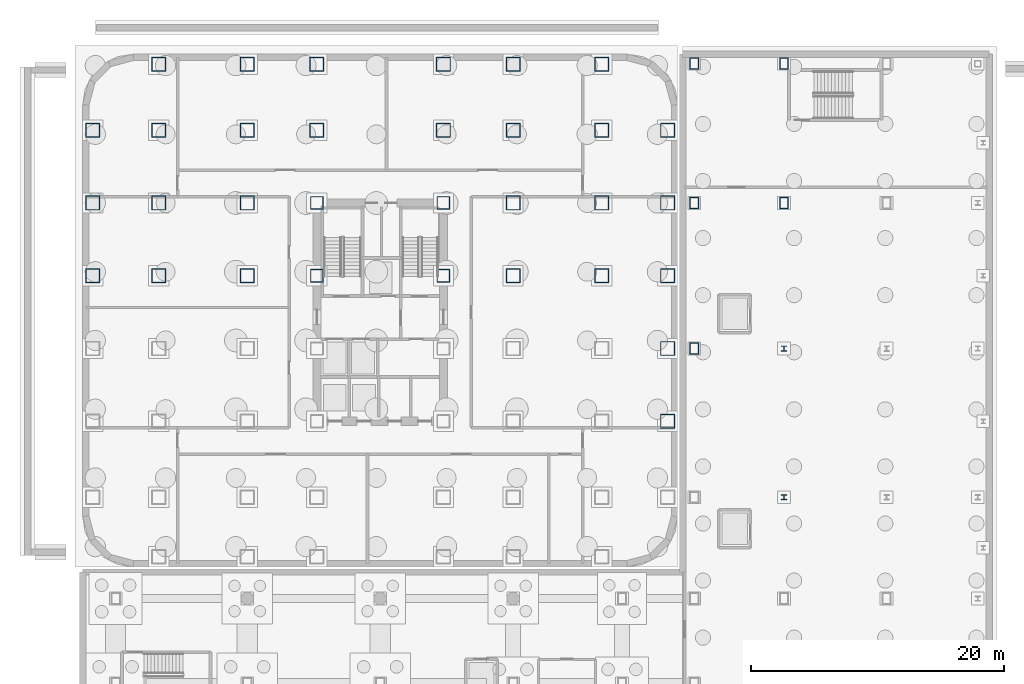
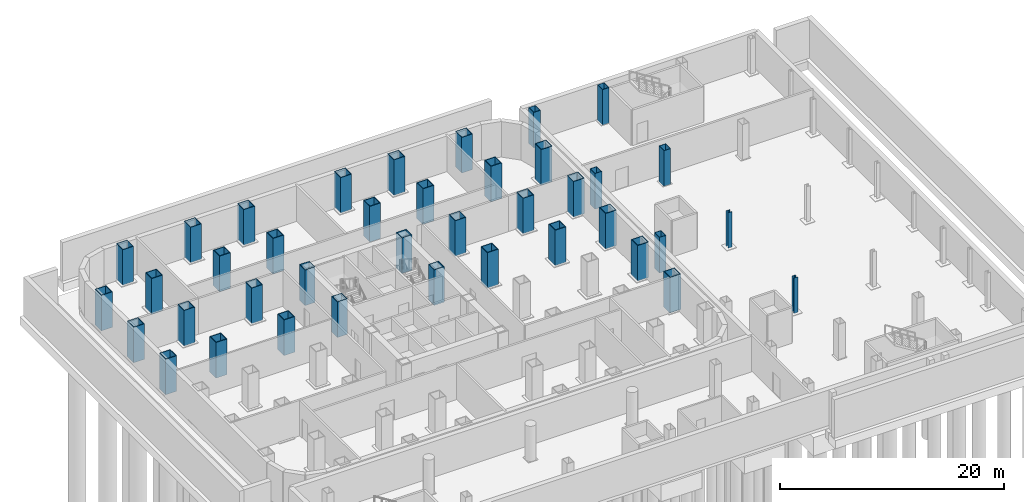
# One storey, part 3 of 16: 39 columns.
"""IFC4 building model written with IfcOpenShell, lengths in metres."""

from ifc_helpers import new_model, si_unit, direction, frame, origin, origin_2d, place, context, subcontext, project, spatial, hollow_rectangle, i_section, extrude, source, transform, mapped, material, material_profile, profile_set, type_object, element, save


model = new_model("IFC4")

# Units and contexts
model_context = context("Model", 3, precision=1e-05, world=origin(), true_north=direction((0.0, 1.0)))
body_context = subcontext(model_context, "Body", "Model", "MODEL_VIEW")
ifc_project = project(units=[si_unit("LENGTHUNIT", "METRE"), si_unit("AREAUNIT", "SQUARE_METRE"), si_unit("VOLUMEUNIT", "CUBIC_METRE"), si_unit("PLANEANGLEUNIT", "RADIAN"), si_unit("MASSUNIT", "GRAM", prefix="KILO")], contexts=[model_context])

# Site, building, storey
site_placement = place(None, origin())
site = spatial("IfcSite", under=ifc_project, at=site_placement, CompositionType="ELEMENT")
building_placement = place(site_placement, origin())
building = spatial("IfcBuilding", under=site, at=building_placement, Name="Kolveth Station Tower", CompositionType="ELEMENT")
storey_placement = place(building_placement, frame((0.0, 0.0, -8.39990234375)))
storey = spatial("IfcBuildingStorey", under=building, at=storey_placement, Name="B2", CompositionType="ELEMENT", Elevation=-8.39990234375)

# Columns
ifc_material_1 = material(Name="Steel S460", Category="steel")
ifc_material_profile_1 = material_profile(ifc_material_1, hollow_rectangle(XDim=1.139892578125, YDim=1.139892578125, WallThickness=0.070068359375, at=origin_2d()), Name="BOX1140x1140x70")
ifc_profile_set_1 = profile_set([ifc_material_profile_1], Name="Steel S460")
column_type_1 = type_object("IfcColumnType", Name="Col_C1", PredefinedType="COLUMN", material=ifc_profile_set_1)
shared_shape_1 = source(origin(), body_context, "Body", "SweptSolid", [
    extrude(hollow_rectangle(XDim=1.139892578125, YDim=1.139892578125, WallThickness=0.070068359375, at=origin_2d()), origin(), (0.0, 0.0, 1.0), 3.8798828125),
])
for number, where, z_axis, x_axis, name in (
    (1, (6.0, 39.699951171875, 0.0), (0.0, 0.0, 1.0), (1.0, 0.0, 0.0), "B2 Tower Column N-X60"),
    (2, (13.0, 39.699951171875, 0.0), (0.0, 0.0, 1.0), (1.0, 0.0, 0.0), "B2 Tower Column N-X130"),
    (3, (18.5, 39.699951171875, 0.0), (0.0, 0.0, 1.0), (1.0, 0.0, 0.0), "B2 Tower Column N-X185"),
    (4, (28.5, 39.699951171875, 0.0), (0.0, 0.0, 1.0), (1.0, 0.0, 0.0), "B2 Tower Column N-X285"),
    (5, (34.0, 39.699951171875, 0.0), (0.0, 0.0, 1.0), (1.0, 0.0, 0.0), "B2 Tower Column N-X340"),
    (6, (41.0, 39.699951171875, 0.0), (0.0, 0.0, 1.0), (1.0, 0.0, 0.0), "B2 Tower Column N-X410"),
    (7, (46.199951171875, 11.5, 0.0), (0.0, 0.0, 1.0), (1.0, 0.0, 0.0), "B2 Tower Column E-Y115"),
    (8, (46.199951171875, 17.25, 0.0), (0.0, 0.0, 1.0), (1.0, 0.0, 0.0), "B2 Tower Column E-Y172"),
    (9, (0.800048828125, 23.0, 0.0), (0.0, 0.0, 1.0), (1.0, 0.0, 0.0), "B2 Tower Column W-Y230"),
    (10, (46.199951171875, 23.0, 0.0), (0.0, 0.0, 1.0), (1.0, 0.0, 0.0), "B2 Tower Column E-Y230"),
    (11, (0.800048828125, 28.75, 0.0), (0.0, 0.0, 1.0), (1.0, 0.0, 0.0), "B2 Tower Column W-Y287"),
    (12, (46.199951171875, 28.75, 0.0), (0.0, 0.0, 1.0), (1.0, 0.0, 0.0), "B2 Tower Column E-Y287"),
    (13, (0.800048828125, 34.5, 0.0), (0.0, 0.0, 1.0), (1.0, 0.0, 0.0), "B2 Tower Column W-Y345"),
    (14, (46.199951171875, 34.5, 0.0), (0.0, 0.0, 1.0), (1.0, 0.0, 0.0), "B2 Tower Column E-Y345"),
    (15, (6.0, 23.0, 0.0), (0.0, 0.0, 1.0), (1.0, 0.0, 0.0), "B2 Tower Column G-60-230"),
    (16, (6.0, 28.75, 0.0), (0.0, 0.0, 1.0), (1.0, 0.0, 0.0), "B2 Tower Column G-60-287"),
    (17, (6.0, 34.5, 0.0), (0.0, 0.0, 1.0), (1.0, 0.0, 0.0), "B2 Tower Column G-60-345"),
    (18, (13.0, 23.0, 0.0), (0.0, 0.0, 1.0), (1.0, 0.0, 0.0), "B2 Tower Column G-130-230"),
    (19, (13.0, 28.75, 0.0), (0.0, 0.0, 1.0), (1.0, 0.0, 0.0), "B2 Tower Column G-130-287"),
    (20, (13.0, 34.5, 0.0), (0.0, 0.0, 1.0), (1.0, 0.0, 0.0), "B2 Tower Column G-130-345"),
    (21, (18.5, 34.5, 0.0), (0.0, 0.0, 1.0), (1.0, 0.0, 0.0), "B2 Tower Column G-185-345"),
    (22, (28.5, 34.5, 0.0), (0.0, 0.0, 1.0), (1.0, 0.0, 0.0), "B2 Tower Column G-285-345"),
    (23, (34.0, 23.0, 0.0), (0.0, 0.0, 1.0), (1.0, 0.0, 0.0), "B2 Tower Column G-340-230"),
    (24, (34.0, 28.75, 0.0), (0.0, 0.0, 1.0), (1.0, 0.0, 0.0), "B2 Tower Column G-340-287"),
    (25, (34.0, 34.5, 0.0), (0.0, 0.0, 1.0), (1.0, 0.0, 0.0), "B2 Tower Column G-340-345"),
    (26, (41.0, 23.0, 0.0), (0.0, 0.0, 1.0), (1.0, 0.0, 0.0), "B2 Tower Column G-410-230"),
    (27, (41.0, 28.75, 0.0), (0.0, 0.0, 1.0), (1.0, 0.0, 0.0), "B2 Tower Column G-410-287"),
    (28, (41.0, 34.5, 0.0), (0.0, 0.0, 1.0), (1.0, 0.0, 0.0), "B2 Tower Column G-410-345"),
):
    element("IfcColumn", number, at=place(storey_placement, frame(where, z_axis=z_axis, x_axis=x_axis)), inside=storey, type_object=column_type_1, Name=name, PredefinedType="COLUMN", context=body_context, shape_type="MappedRepresentation", body=[
        mapped(shared_shape_1, transform((0.0, 0.0, 0.0), x_axis=(1.0, 0.0, 0.0), y_axis=(0.0, 1.0, 0.0), z_axis=(0.0, 0.0, 1.0), scale=1.0)),
    ])
ifc_material_profile_2 = material_profile(ifc_material_1, hollow_rectangle(XDim=1.0400390625, YDim=1.0400390625, WallThickness=0.06494140625, at=origin_2d()), Name="BOX1040x1040x65")
ifc_profile_set_2 = profile_set([ifc_material_profile_2], Name="Steel S460")
column_type_2 = type_object("IfcColumnType", Name="Col_C2", PredefinedType="COLUMN", material=ifc_profile_set_2)
shared_shape_2 = source(origin(), body_context, "Body", "SweptSolid", [
    extrude(hollow_rectangle(XDim=1.0400390625, YDim=1.0400390625, WallThickness=0.06494140625, at=origin_2d()), origin(), (0.0, 0.0, 1.0), 3.8798828125),
])
for number, where, z_axis, x_axis, name in (
    (29, (18.5, 23.0, 0.0), (0.0, 0.0, 1.0), (1.0, 0.0, 0.0), "B2 Tower Column G-185-230"),
    (30, (18.5, 28.75, 0.0), (0.0, 0.0, 1.0), (1.0, 0.0, 0.0), "B2 Tower Column G-185-287"),
    (31, (28.5, 23.0, 0.0), (0.0, 0.0, 1.0), (1.0, 0.0, 0.0), "B2 Tower Column G-285-230"),
    (32, (28.5, 28.75, 0.0), (0.0, 0.0, 1.0), (1.0, 0.0, 0.0), "B2 Tower Column G-285-287"),
):
    element("IfcColumn", number, at=place(storey_placement, frame(where, z_axis=z_axis, x_axis=x_axis)), inside=storey, type_object=column_type_2, Name=name, PredefinedType="COLUMN", context=body_context, shape_type="MappedRepresentation", body=[
        mapped(shared_shape_2, transform((0.0, 0.0, 0.0), x_axis=(1.0, 0.0, 0.0), y_axis=(0.0, 1.0, 0.0), z_axis=(0.0, 0.0, 1.0), scale=1.0)),
    ])
ifc_material_2 = material(Name="Steel S355", Category="steel")
ifc_material_profile_3 = material_profile(ifc_material_2, hollow_rectangle(XDim=0.699951171875, YDim=0.89990234375, WallThickness=0.0400390625, at=origin_2d()), Name="BOX900x700x40")
ifc_profile_set_3 = profile_set([ifc_material_profile_3], Name="Steel S355")
column_type_3 = type_object("IfcColumnType", Name="Col_SC1", PredefinedType="COLUMN", material=ifc_profile_set_3)
shared_shape_3 = source(origin(), body_context, "Body", "SweptSolid", [
    extrude(hollow_rectangle(XDim=0.699951171875, YDim=0.89990234375, WallThickness=0.0400390625, at=origin_2d()), origin(), (0.0, 0.0, 1.0), 3.8798828125),
])
for number, where, z_axis, x_axis, name in (
    (33, (48.300048828125, 17.25, 0.0), (0.0, 0.0, 1.0), (1.0, 0.0, 0.0), "B2 Station Column SE-1-4"),
    (34, (48.300048828125, 28.75, 0.0), (0.0, 0.0, 1.0), (1.0, 0.0, 0.0), "B2 Station Column SE-1-5"),
    (35, (48.300048828125, 39.75, 0.0), (0.0, 0.0, 1.0), (1.0, 0.0, 0.0), "B2 Station Column SE-1-6"),
    (36, (55.39990234375, 28.75, 0.0), (0.0, 0.0, 1.0), (1.0, 0.0, 0.0), "B2 Station Column SE-2-5"),
    (37, (55.39990234375, 39.75, 0.0), (0.0, 0.0, 1.0), (1.0, 0.0, 0.0), "B2 Station Column SE-2-6"),
):
    element("IfcColumn", number, at=place(storey_placement, frame(where, z_axis=z_axis, x_axis=x_axis)), inside=storey, type_object=column_type_3, Name=name, PredefinedType="COLUMN", context=body_context, shape_type="MappedRepresentation", body=[
        mapped(shared_shape_3, transform((0.0, 0.0, 0.0), x_axis=(1.0, 0.0, 0.0), y_axis=(0.0, 1.0, 0.0), z_axis=(0.0, 0.0, 1.0), scale=1.0)),
    ])
ifc_material_profile_4 = material_profile(ifc_material_2, i_section(OverallWidth=0.39892578125, OverallDepth=0.39306640625, WebThickness=0.022705078125, FlangeThickness=0.03662109375, at=origin_2d()), Name="W360x287")
ifc_profile_set_4 = profile_set([ifc_material_profile_4], Name="Steel S355")
column_type_4 = type_object("IfcColumnType", Name="Col_CW1", PredefinedType="COLUMN", material=ifc_profile_set_4)
shared_shape_4 = source(origin(), body_context, "Body", "SweptSolid", [
    extrude(i_section(OverallWidth=0.39892578125, OverallDepth=0.39306640625, WebThickness=0.022705078125, FlangeThickness=0.03662109375, at=origin_2d()), origin(), (0.0, 0.0, 1.0), 3.8798828125),
])
for number, where, z_axis, x_axis, name in (
    (38, (55.39990234375, 5.5, 0.0), (0.0, 0.0, 1.0), (1.0, 0.0, 0.0), "B2 Station Column SE-2-3"),
    (39, (55.39990234375, 17.25, 0.0), (0.0, 0.0, 1.0), (1.0, 0.0, 0.0), "B2 Station Column SE-2-4"),
):
    element("IfcColumn", number, at=place(storey_placement, frame(where, z_axis=z_axis, x_axis=x_axis)), inside=storey, type_object=column_type_4, Name=name, PredefinedType="COLUMN", context=body_context, shape_type="MappedRepresentation", body=[
        mapped(shared_shape_4, transform((0.0, 0.0, 0.0), x_axis=(1.0, 0.0, 0.0), y_axis=(0.0, 1.0, 0.0), z_axis=(0.0, 0.0, 1.0), scale=1.0)),
    ])

save(model, "model.ifc")
